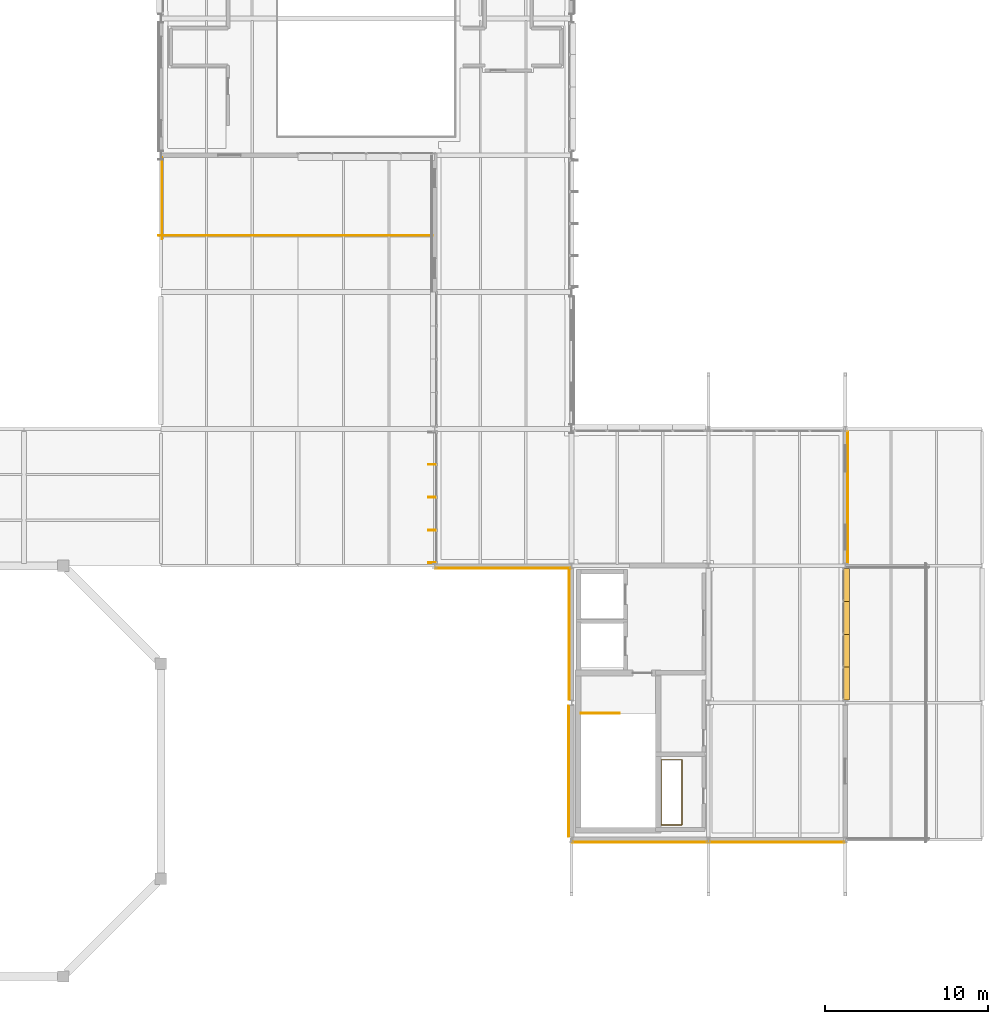
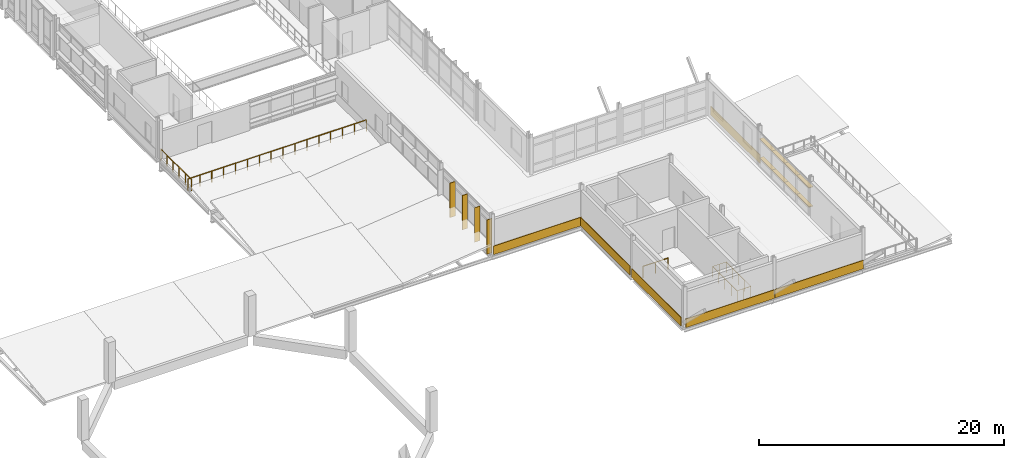
# One storey, part 116 of 131: 12 shading devices, 6 coverings, 4 railings.
"""IFC4 building model written with IfcOpenShell, lengths in metres."""

from ifc_helpers import new_model, si_unit, direction, frame, origin, origin_2d, place, context, subcontext, project, spatial, rectangle, circle, extrude, material, layer, layer_set, type_object, element, save


model = new_model("IFC4")

# Units and contexts
model_context = context("Model", 3, precision=1e-05, world=origin(), true_north=direction((0.0, 1.0)))
body_context = subcontext(model_context, "Body", "Model", "MODEL_VIEW")
ifc_project = project(units=[si_unit("LENGTHUNIT", "METRE"), si_unit("AREAUNIT", "SQUARE_METRE"), si_unit("VOLUMEUNIT", "CUBIC_METRE"), si_unit("PLANEANGLEUNIT", "RADIAN"), si_unit("MASSUNIT", "GRAM", prefix="KILO")], contexts=[model_context])

# Site, building, storey
site_placement = place(None, origin())
site = spatial("IfcSite", under=ifc_project, at=site_placement, CompositionType="ELEMENT")
building_placement = place(site_placement, origin())
building = spatial("IfcBuilding", under=site, at=building_placement, Name="Mersafa Astral City Hall", CompositionType="ELEMENT")
storey_placement = place(building_placement, frame((0.0, 0.0, 13.949951171875)))
storey = spatial("IfcBuildingStorey", under=building, at=storey_placement, Name="L03", CompositionType="ELEMENT", Elevation=13.949951171875)

# Coverings
ifc_material_1 = material(Name="Cairo Mokattam buff limestone cladding", Category="masonry")
ifc_layer = layer(ifc_material_1, 0.06005859375, Name="Cairo Mokattam buff limestone cladding")
ifc_layer_set = layer_set([ifc_layer], Name="Cairo Mokattam buff limestone cladding — ENV-COV-LIMESTONE-60")
covering_type = type_object("IfcCoveringType", Name="ENV-COV-LIMESTONE-60", PredefinedType="CLADDING", material=ifc_layer_set)
covering_1_placement = place(storey_placement, frame((113.39990234375, 25.052978515625, 0.0), z_axis=(0.0, 0.0, 1.0), x_axis=(1.0, 0.0, 0.0)))
element("IfcCovering", 1, at=covering_1_placement, inside=storey, type_object=covering_type, Name="L03 Cairo buff limestone rainscreen cladding 213", PredefinedType="CLADDING", context=body_context, shape_type="SweptSolid", body=[
    extrude(rectangle(XDim=8.323974609375, YDim=0.06005859375, at=origin_2d()), origin(), (0.0, 0.0, 1.0), 0.860107421875),
])
for number, where, z_axis, x_axis, name in (
    (2, (117.46044921875, 21.0, 0.0), (0.0, 0.0, 1.0), (0.0, -1.0, 0.0), "L03 Cairo buff limestone rainscreen cladding 214"),
    (3, (117.423095703125, 12.60009765625, 0.0), (0.0, 0.0, 1.0), (0.0, -1.0, 0.0), "L03 Cairo buff limestone rainscreen cladding 215"),
):
    element("IfcCovering", number, at=place(storey_placement, frame(where, z_axis=z_axis, x_axis=x_axis)), inside=storey, type_object=covering_type, Name=name, PredefinedType="CLADDING", context=body_context, shape_type="SweptSolid", body=[
        extrude(rectangle(XDim=8.048095703125, YDim=0.06005859375, at=origin_2d()), origin(), (0.0, 0.0, 1.0), 0.860107421875),
    ])
for number, where, z_axis, x_axis, name in (
    (4, (121.800048828125, 8.23046875, 0.0), (0.0, 0.0, 1.0), (1.0, 0.0, 0.0), "L03 Cairo buff limestone rainscreen cladding 216"),
    (5, (130.199951171875, 8.238037109375, 0.0), (0.0, 0.0, 1.0), (1.0, 0.0, 0.0), "L03 Cairo buff limestone rainscreen cladding 217"),
):
    element("IfcCovering", number, at=place(storey_placement, frame(where, z_axis=z_axis, x_axis=x_axis)), inside=storey, type_object=covering_type, Name=name, PredefinedType="CLADDING", context=body_context, shape_type="SweptSolid", body=[
        extrude(rectangle(XDim=8.323974609375, YDim=0.06005859375, at=origin_2d()), origin(), (0.0, 0.0, 1.0), 0.860107421875),
    ])
covering_2_placement = place(storey_placement, frame((134.547119140625, 29.39990234375, 0.0), z_axis=(0.0, 0.0, 1.0), x_axis=(0.0, 1.0, 0.0)))
element("IfcCovering", 6, at=covering_2_placement, inside=storey, type_object=covering_type, Name="L03 Cairo buff limestone rainscreen cladding 218", PredefinedType="CLADDING", context=body_context, shape_type="SweptSolid", body=[
    extrude(rectangle(XDim=8.048095703125, YDim=0.06005859375, at=origin_2d()), origin(), (0.0, 0.0, 1.0), 0.860107421875),
])

# Railings
ifc_material_2 = material(Name="Anodised bronze steel balustrade with laminated safety infill", Category="steel")
railing_type_1 = type_object("IfcRailingType", Name="ENV-RAIL-TERRACE-1120", PredefinedType="BALUSTRADE", material=ifc_material_2)
railing_1_placement = place(storey_placement, frame((92.260009765625, 45.469970703125, 0.0)))
element("IfcRailing", 7, at=railing_1_placement, inside=storey, type_object=railing_type_1, Name="L03 Terrace perimeter guard balustrade 6", PredefinedType="BALUSTRADE", context=body_context, shape_type="SweptSolid", body=[
    extrude(circle(Radius=0.02392578125, at=origin_2d()), frame((0.0, 0.0, 1.09619140625), z_axis=(1.0, 0.0, 0.0), x_axis=(0.0, 1.0, 0.0)), (0.0, 0.0, 1.0), 16.800048828125),
    extrude(circle(Radius=0.02099609375, at=origin_2d()), origin(), (0.0, 0.0, 1.0), 1.072021484375),
    extrude(circle(Radius=0.02099609375, at=origin_2d()), frame((1.1201171875, 0.0, 0.0)), (0.0, 0.0, 1.0), 1.072021484375),
    extrude(circle(Radius=0.02099609375, at=origin_2d()), frame((2.239990234375, 0.0, 0.0)), (0.0, 0.0, 1.0), 1.072021484375),
    extrude(circle(Radius=0.02099609375, at=origin_2d()), frame((3.360107421875, 0.0, 0.0)), (0.0, 0.0, 1.0), 1.072021484375),
    extrude(circle(Radius=0.02099609375, at=origin_2d()), frame((4.47998046875, 0.0, 0.0)), (0.0, 0.0, 1.0), 1.072021484375),
    extrude(circle(Radius=0.02099609375, at=origin_2d()), frame((5.60009765625, 0.0, 0.0)), (0.0, 0.0, 1.0), 1.072021484375),
    extrude(circle(Radius=0.02099609375, at=origin_2d()), frame((6.719970703125, 0.0, 0.0)), (0.0, 0.0, 1.0), 1.072021484375),
    extrude(circle(Radius=0.02099609375, at=origin_2d()), frame((7.840087890625, 0.0, 0.0)), (0.0, 0.0, 1.0), 1.072021484375),
    extrude(circle(Radius=0.02099609375, at=origin_2d()), frame((8.9599609375, 0.0, 0.0)), (0.0, 0.0, 1.0), 1.072021484375),
    extrude(circle(Radius=0.02099609375, at=origin_2d()), frame((10.080078125, 0.0, 0.0)), (0.0, 0.0, 1.0), 1.072021484375),
    extrude(circle(Radius=0.02099609375, at=origin_2d()), frame((11.199951171875, 0.0, 0.0)), (0.0, 0.0, 1.0), 1.072021484375),
    extrude(circle(Radius=0.02099609375, at=origin_2d()), frame((12.320068359375, 0.0, 0.0)), (0.0, 0.0, 1.0), 1.072021484375),
    extrude(circle(Radius=0.02099609375, at=origin_2d()), frame((13.43994140625, 0.0, 0.0)), (0.0, 0.0, 1.0), 1.072021484375),
    extrude(circle(Radius=0.02099609375, at=origin_2d()), frame((14.56005859375, 0.0, 0.0)), (0.0, 0.0, 1.0), 1.072021484375),
    extrude(circle(Radius=0.02099609375, at=origin_2d()), frame((15.679931640625, 0.0, 0.0)), (0.0, 0.0, 1.0), 1.072021484375),
    extrude(circle(Radius=0.02099609375, at=origin_2d()), frame((16.800048828125, 0.0, 0.0)), (0.0, 0.0, 1.0), 1.072021484375),
])
railing_2_placement = place(storey_placement, frame((92.469970703125, 50.260009765625, 0.0)))
element("IfcRailing", 8, at=railing_2_placement, inside=storey, type_object=railing_type_1, Name="L03 Terrace perimeter guard balustrade 7", PredefinedType="BALUSTRADE", context=body_context, shape_type="SweptSolid", body=[
    extrude(circle(Radius=0.02392578125, at=origin_2d()), frame((0.0, 0.0, 1.09619140625), z_axis=(0.0, -1.0, 0.0), x_axis=(1.0, 0.0, 0.0)), (0.0, 0.0, 1.0), 5.0),
    extrude(circle(Radius=0.02099609375, at=origin_2d()), origin(), (0.0, 0.0, 1.0), 1.072021484375),
    extrude(circle(Radius=0.02099609375, at=origin_2d()), frame((0.0, -1.0, 0.0)), (0.0, 0.0, 1.0), 1.072021484375),
    extrude(circle(Radius=0.02099609375, at=origin_2d()), frame((0.0, -2.0, 0.0)), (0.0, 0.0, 1.0), 1.072021484375),
    extrude(circle(Radius=0.02099609375, at=origin_2d()), frame((0.0, -3.0, 0.0)), (0.0, 0.0, 1.0), 1.072021484375),
    extrude(circle(Radius=0.02099609375, at=origin_2d()), frame((0.0, -4.0, 0.0)), (0.0, 0.0, 1.0), 1.072021484375),
    extrude(circle(Radius=0.02099609375, at=origin_2d()), frame((0.0, -5.0, 0.0)), (0.0, 0.0, 1.0), 1.072021484375),
])

# Shading devices
ifc_material_3 = material(Name="Anodised bronze aluminium solar fin", Category="aluminium")
shading_device_type_1 = type_object("IfcShadingDeviceType", Name="ENV-SHD-FIN-500A", PredefinedType="USERDEFINED", material=ifc_material_3)
for number, where, z_axis, x_axis, name in (
    (9, (109.054931640625, 31.4189453125, -0.01513671875), (0.0, 0.0, 1.0), (0.0, -1.0, 0.0), "L03 Vertical bronze solar fin 948"),
    (10, (109.054931640625, 29.39990234375, -0.01513671875), (0.0, 0.0, 1.0), (0.0, -1.0, 0.0), "L03 Vertical bronze solar fin 949"),
    (11, (109.054931640625, 27.381103515625, -0.01513671875), (0.0, 0.0, 1.0), (0.0, -1.0, 0.0), "L03 Vertical bronze solar fin 950"),
    (12, (109.054931640625, 25.39208984375, -0.01513671875), (0.0, 0.0, 1.0), (0.0, -1.0, 0.0), "L03 Vertical bronze solar fin 951"),
):
    element("IfcShadingDevice", number, at=place(storey_placement, frame(where, z_axis=z_axis, x_axis=x_axis)), inside=storey, type_object=shading_device_type_1, Name=name, ObjectType="FIN", PredefinedType="USERDEFINED", context=body_context, shape_type="SweptSolid", body=[
        extrude(rectangle(XDim=0.06005859375, YDim=0.5, at=origin_2d()), origin(), (0.0, 0.0, 1.0), 3.422119140625),
    ])
ifc_material_4 = material(Name="Kiln-dried cedar timber brise-soleil blade", Category="wood")
shading_device_type_2 = type_object("IfcShadingDeviceType", Name="ENV-SHD-LOUVRE-380", PredefinedType="JALOUSIE", material=ifc_material_4)
shading_device_1_placement = place(storey_placement, frame((134.47998046875, 17.986572265625, 0.81494140625), z_axis=(0.0, 0.0, 1.0), x_axis=(0.0, 1.0, 0.0)))
element("IfcShadingDevice", 13, at=shading_device_1_placement, inside=storey, type_object=shading_device_type_2, Name="L03 Horizontal cedar brise-soleil louvre 952", PredefinedType="JALOUSIE", context=body_context, shape_type="SweptSolid", body=[
    extrude(rectangle(XDim=2.029052734375, YDim=0.3798828125, at=origin_2d()), origin(), (0.0, 0.0, 1.0), 0.070068359375),
])
for number, where, z_axis, x_axis, name in (
    (14, (134.47998046875, 19.990478515625, 0.81494140625), (0.0, 0.0, 1.0), (0.0, 1.0, 0.0), "L03 Horizontal cedar brise-soleil louvre 953"),
    (15, (134.47998046875, 22.009521484375, 0.81494140625), (0.0, 0.0, 1.0), (0.0, 1.0, 0.0), "L03 Horizontal cedar brise-soleil louvre 954"),
):
    element("IfcShadingDevice", number, at=place(storey_placement, frame(where, z_axis=z_axis, x_axis=x_axis)), inside=storey, type_object=shading_device_type_2, Name=name, PredefinedType="JALOUSIE", context=body_context, shape_type="SweptSolid", body=[
        extrude(rectangle(XDim=2.05908203125, YDim=0.3798828125, at=origin_2d()), origin(), (0.0, 0.0, 1.0), 0.070068359375),
    ])
for number, where, z_axis, x_axis, name in (
    (16, (134.47998046875, 24.013427734375, 0.81494140625), (0.0, 0.0, 1.0), (0.0, 1.0, 0.0), "L03 Horizontal cedar brise-soleil louvre 955"),
    (17, (134.47998046875, 17.986572265625, 2.71484375), (0.0, 0.0, 1.0), (0.0, 1.0, 0.0), "L03 Horizontal cedar brise-soleil louvre 956"),
):
    element("IfcShadingDevice", number, at=place(storey_placement, frame(where, z_axis=z_axis, x_axis=x_axis)), inside=storey, type_object=shading_device_type_2, Name=name, PredefinedType="JALOUSIE", context=body_context, shape_type="SweptSolid", body=[
        extrude(rectangle(XDim=2.029052734375, YDim=0.3798828125, at=origin_2d()), origin(), (0.0, 0.0, 1.0), 0.070068359375),
    ])
for number, where, z_axis, x_axis, name in (
    (18, (134.47998046875, 19.990478515625, 2.71484375), (0.0, 0.0, 1.0), (0.0, 1.0, 0.0), "L03 Horizontal cedar brise-soleil louvre 957"),
    (19, (134.47998046875, 22.009521484375, 2.71484375), (0.0, 0.0, 1.0), (0.0, 1.0, 0.0), "L03 Horizontal cedar brise-soleil louvre 958"),
):
    element("IfcShadingDevice", number, at=place(storey_placement, frame(where, z_axis=z_axis, x_axis=x_axis)), inside=storey, type_object=shading_device_type_2, Name=name, PredefinedType="JALOUSIE", context=body_context, shape_type="SweptSolid", body=[
        extrude(rectangle(XDim=2.05908203125, YDim=0.3798828125, at=origin_2d()), origin(), (0.0, 0.0, 1.0), 0.070068359375),
    ])
shading_device_2_placement = place(storey_placement, frame((134.47998046875, 24.013427734375, 2.71484375), z_axis=(0.0, 0.0, 1.0), x_axis=(0.0, 1.0, 0.0)))
element("IfcShadingDevice", 20, at=shading_device_2_placement, inside=storey, type_object=shading_device_type_2, Name="L03 Horizontal cedar brise-soleil louvre 959", PredefinedType="JALOUSIE", context=body_context, shape_type="SweptSolid", body=[
    extrude(rectangle(XDim=2.029052734375, YDim=0.3798828125, at=origin_2d()), origin(), (0.0, 0.0, 1.0), 0.070068359375),
])

# Railings
ifc_material_5 = material(Name="Painted architectural steel stair guard balustrade", Category="steel")
railing_type_2 = type_object("IfcRailingType", Name="GUARD-RAIL", PredefinedType="BALUSTRADE", material=ifc_material_5)
railing_3_placement = place(storey_placement, frame((118.179931640625, 16.14990234375, 0.0)))
element("IfcRailing", 21, at=railing_3_placement, inside=storey, type_object=railing_type_2, Name="L03 ST5 top well guard 1", PredefinedType="BALUSTRADE", context=body_context, shape_type="SweptSolid", body=[
    extrude(circle(Radius=0.02392578125, at=origin_2d()), frame((0.0, 0.0, 1.09619140625), z_axis=(1.0, 0.0, 0.0), x_axis=(0.0, 1.0, 0.0)), (0.0, 0.0, 1.0), 2.360107421875),
    extrude(circle(Radius=0.02099609375, at=origin_2d()), origin(), (0.0, 0.0, 1.0), 1.072021484375),
    extrude(circle(Radius=0.02099609375, at=origin_2d()), frame((1.18017578125, 0.0, 0.0)), (0.0, 0.0, 1.0), 1.072021484375),
    extrude(circle(Radius=0.02099609375, at=origin_2d()), frame((2.360107421875, 0.0, 0.0)), (0.0, 0.0, 1.0), 1.072021484375),
])
railing_4_placement = place(storey_placement, frame((123.10009765625, 9.300048828125, 0.0)))
element("IfcRailing", 22, at=railing_4_placement, inside=storey, type_object=railing_type_2, Name="L03 K5 MEP Riser Shaft Guard", PredefinedType="BALUSTRADE", context=body_context, shape_type="SweptSolid", body=[
    extrude(circle(Radius=0.02392578125, at=origin_2d()), frame((0.0, 0.0, 1.09619140625), z_axis=(1.0, 0.0, 0.0), x_axis=(0.0, 1.0, 0.0)), (0.0, 0.0, 1.0), 1.27978515625),
    extrude(circle(Radius=0.02392578125, at=origin_2d()), frame((1.27978515625, 0.0, 1.09619140625), z_axis=(0.0, 1.0, 0.0), x_axis=(-1.0, 0.0, 0.0)), (0.0, 0.0, 1.0), 4.0),
    extrude(circle(Radius=0.02392578125, at=origin_2d()), frame((1.27978515625, 4.0, 1.09619140625), z_axis=(-1.0, 0.0, 0.0), x_axis=(0.0, -1.0, 0.0)), (0.0, 0.0, 1.0), 1.27978515625),
    extrude(circle(Radius=0.02392578125, at=origin_2d()), frame((0.0, 4.0, 1.09619140625), z_axis=(0.0, -1.0, 0.0), x_axis=(1.0, 0.0, 0.0)), (0.0, 0.0, 1.0), 4.0),
    extrude(circle(Radius=0.02099609375, at=origin_2d()), origin(), (0.0, 0.0, 1.0), 1.072021484375),
    extrude(circle(Radius=0.02099609375, at=origin_2d()), frame((0.639892578125, 0.0, 0.0)), (0.0, 0.0, 1.0), 1.072021484375),
    extrude(circle(Radius=0.02099609375, at=origin_2d()), frame((1.27978515625, 0.0, 0.0)), (0.0, 0.0, 1.0), 1.072021484375),
    extrude(circle(Radius=0.02099609375, at=origin_2d()), frame((1.27978515625, 1.0, 0.0)), (0.0, 0.0, 1.0), 1.072021484375),
    extrude(circle(Radius=0.02099609375, at=origin_2d()), frame((1.27978515625, 2.0, 0.0)), (0.0, 0.0, 1.0), 1.072021484375),
    extrude(circle(Radius=0.02099609375, at=origin_2d()), frame((1.27978515625, 3.0, 0.0)), (0.0, 0.0, 1.0), 1.072021484375),
    extrude(circle(Radius=0.02099609375, at=origin_2d()), frame((1.27978515625, 4.0, 0.0)), (0.0, 0.0, 1.0), 1.072021484375),
    extrude(circle(Radius=0.02099609375, at=origin_2d()), frame((0.639892578125, 4.0, 0.0)), (0.0, 0.0, 1.0), 1.072021484375),
    extrude(circle(Radius=0.02099609375, at=origin_2d()), frame((0.0, 4.0, 0.0)), (0.0, 0.0, 1.0), 1.072021484375),
    extrude(circle(Radius=0.02099609375, at=origin_2d()), frame((0.0, 3.0, 0.0)), (0.0, 0.0, 1.0), 1.072021484375),
    extrude(circle(Radius=0.02099609375, at=origin_2d()), frame((0.0, 2.0, 0.0)), (0.0, 0.0, 1.0), 1.072021484375),
    extrude(circle(Radius=0.02099609375, at=origin_2d()), frame((0.0, 1.0, 0.0)), (0.0, 0.0, 1.0), 1.072021484375),
])

save(model, "model.ifc")
